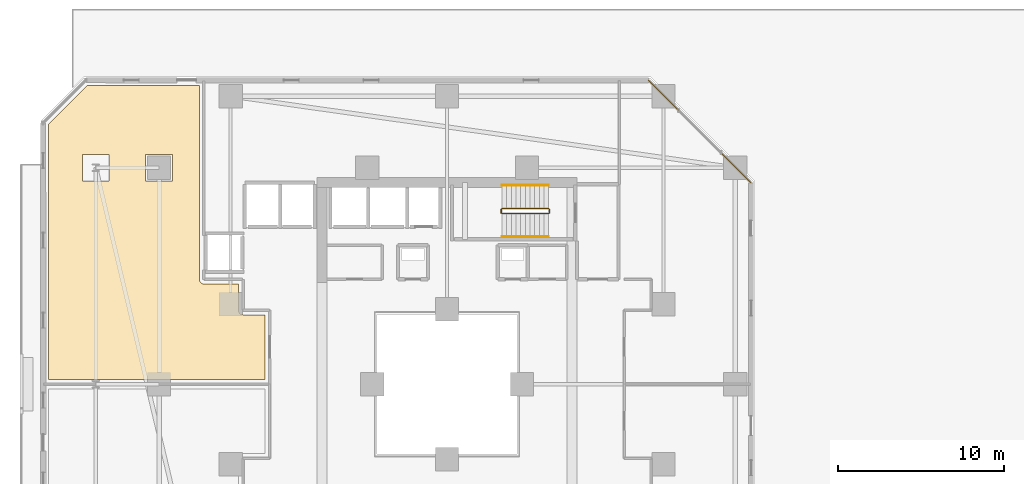
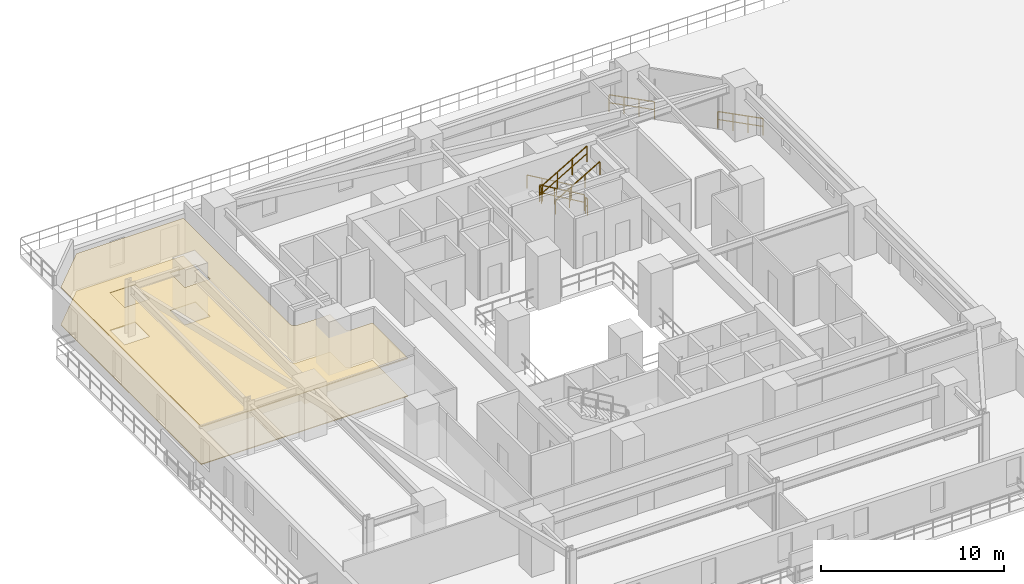
# One storey, part 31 of 34: 8 railings, 2 coverings.
"""IFC4 building model written with IfcOpenShell, lengths in metres."""

import ifcopenshell
import ifcopenshell.guid

model = None  # the IFC model being written
_history = None  # IfcOwnerHistory: only IFC2X3 demands one
_inside = {}  # id of a spatial element -> (the spatial element, [elements in it])
_under = {}  # id of a project, library or spatial element -> (it, [spatial elements below it])
_declared = {}  # id of a project -> (the project, [libraries it declares])
_typed = {}  # id of a type object -> (the type object, [elements of that type])
_made_of = {}  # id of a material, layer set ... -> (it, [elements and type objects made of it])


def new_model(schema):
    """Start an empty IFC model of exactly this schema.

    Asked for "IFC4X3", IfcOpenShell would pick the latest addendum, in which some entities
    have other attributes; the version numbers below select the first issue.
    IFC2X3 requires an IfcOwnerHistory on every rooted entity: one is made here for all.
    """
    global model, _history
    if schema == "IFC4X3":
        model = ifcopenshell.file(schema_version=(4, 3, 0, 0))
    else:
        model = ifcopenshell.file(schema=schema)
    _inside.clear()
    _under.clear()
    _declared.clear()
    _typed.clear()
    _made_of.clear()
    _history = None
    if model.schema == "IFC2X3":
        org = make("IfcOrganization", Name="unknown")
        user = make(
            "IfcPersonAndOrganization",
            ThePerson=make("IfcPerson", FamilyName="unknown"),
            TheOrganization=org,
        )
        app = make(
            "IfcApplication",
            ApplicationDeveloper=org,
            Version="unknown",
            ApplicationFullName="unknown",
            ApplicationIdentifier="unknown",
        )
        _history = make(
            "IfcOwnerHistory",
            OwningUser=user,
            OwningApplication=app,
            ChangeAction="ADDED",
            CreationDate=0,
        )
    return model


def make(cls, **values):
    """One entity of the class cls with the attributes given. An attribute that is None is left unset."""
    return model.create_entity(
        cls, **{name: value for name, value in values.items() if value is not None}
    )


def rooted(cls, **values):
    """An entity with a GlobalId (a new one), such as an element, a storey or a relation."""
    return make(cls, GlobalId=ifcopenshell.guid.new(), OwnerHistory=_history, **values)


def si_unit(unit_type, name, prefix=None):
    """IfcSIUnit, for example si_unit("LENGTHUNIT", "METRE", prefix="MILLI")."""
    return make("IfcSIUnit", UnitType=unit_type, Prefix=prefix, Name=name)


def assignment(units):
    """IfcUnitAssignment: the units of a project."""
    return None if units is None else make("IfcUnitAssignment", Units=units)


def point(xyz):
    """IfcCartesianPoint."""
    return None if xyz is None else make("IfcCartesianPoint", Coordinates=xyz)


def direction(xyz):
    """IfcDirection."""
    return None if xyz is None else make("IfcDirection", DirectionRatios=xyz)


def frame(location, z_axis=None, x_axis=None):
    """IfcAxis2Placement3D, a coordinate frame: its origin and axes. An axis left out is left unset."""
    return make(
        "IfcAxis2Placement3D",
        Location=point(location),
        Axis=direction(z_axis),
        RefDirection=direction(x_axis),
    )


def frame_2d(location, x_axis=None):
    """IfcAxis2Placement2D, a coordinate frame in the plane: its origin and x axis."""
    return make(
        "IfcAxis2Placement2D", Location=point(location), RefDirection=direction(x_axis)
    )


def origin():
    """The frame at (0, 0, 0) with its axes left unset."""
    return frame((0.0, 0.0, 0.0))


def origin_2d():
    """The frame at (0, 0) in the plane with its x axis left unset."""
    return frame_2d((0.0, 0.0))


def place(relative_to, where):
    """IfcLocalPlacement: puts the frame where relative to a parent placement (None: the world)."""
    return make(
        "IfcLocalPlacement", PlacementRelTo=relative_to, RelativePlacement=where
    )


def context(
    kind, dimensions, precision=None, world=None, true_north=None, identifier=None
):
    """IfcGeometricRepresentationContext, for example the 3D "Model" context."""
    return make(
        "IfcGeometricRepresentationContext",
        ContextIdentifier=identifier,
        ContextType=kind,
        CoordinateSpaceDimension=dimensions,
        Precision=precision,
        WorldCoordinateSystem=world,
        TrueNorth=true_north,
    )


def subcontext(parent, identifier, kind, view, scale=None):
    """IfcGeometricRepresentationSubContext, for example "Body" below "Model"."""
    return make(
        "IfcGeometricRepresentationSubContext",
        ContextIdentifier=identifier,
        ContextType=kind,
        ParentContext=parent,
        TargetScale=scale,
        TargetView=view,
    )


def project(units=None, contexts=None):
    """IfcProject with its units and contexts."""
    return rooted(
        "IfcProject",
        Name="project",
        RepresentationContexts=contexts,
        UnitsInContext=assignment(units),
    )


def spatial(cls, under=None, at=None, **own):
    """A site, building, storey or space (cls), placed at a placement, below another one or the project."""
    s = rooted(cls, ObjectPlacement=at, **own)
    if under is not None:
        _under.setdefault(under.id(), (under, []))[1].append(s)
    return s


def polyline(points):
    """IfcPolyline through the points."""
    return make("IfcPolyline", Points=[point(p) for p in points])


def profile(cls, at=None, kind="AREA", **sizes):
    """A parametric profile (cls). Its sizes go by their IFC names, for example OverallWidth=200.0."""
    return make(cls, ProfileType=kind, Position=at, **sizes)


def rectangle(**sizes):
    """IfcRectangleProfileDef."""
    return profile("IfcRectangleProfileDef", **sizes)


def outline(outer, holes=None, kind="AREA"):
    """IfcArbitraryClosedProfileDef: a profile drawn as a closed curve; with holes, ...WithVoids."""
    if holes is None:
        return make("IfcArbitraryClosedProfileDef", ProfileType=kind, OuterCurve=outer)
    return make(
        "IfcArbitraryProfileDefWithVoids",
        ProfileType=kind,
        OuterCurve=outer,
        InnerCurves=holes,
    )


def extrude(swept, where, along, depth):
    """IfcExtrudedAreaSolid: the profile swept, set in the frame where, extruded along a direction by depth."""
    return make(
        "IfcExtrudedAreaSolid",
        SweptArea=swept,
        Position=where,
        ExtrudedDirection=direction(along),
        Depth=depth,
    )


def shape(context_of_items, identifier, shape_type, items):
    """IfcShapeRepresentation: the items that make up one representation, for example the "Body"."""
    return make(
        "IfcShapeRepresentation",
        ContextOfItems=context_of_items,
        RepresentationIdentifier=identifier,
        RepresentationType=shape_type,
        Items=items,
    )


def material(Name=None, Category=None):
    """IfcMaterial."""
    return make("IfcMaterial", Name=Name, Category=Category)


def layer(
    of_material, thickness, ventilated=None, Name=None, Category=None, Priority=None
):
    """IfcMaterialLayer: one layer of a wall or slab, of a material (None: an air gap)."""
    return make(
        "IfcMaterialLayer",
        Material=of_material,
        LayerThickness=thickness,
        IsVentilated=ventilated,
        Name=Name,
        Category=Category,
        Priority=Priority,
    )


def layer_set(layers, Name=None):
    """IfcMaterialLayerSet."""
    return make("IfcMaterialLayerSet", MaterialLayers=layers, LayerSetName=Name)


def made_of(thing, what):
    """Note that an element or type object is made of a material, layer set ...; save() writes the relation."""
    if what is not None:
        _made_of.setdefault(what.id(), (what, []))[1].append(thing)
    return thing


def type_object(cls, material=None, **own):
    """A type object (cls), such as IfcWallType, which elements share."""
    return made_of(rooted(cls, **own), material)


def element(
    cls,
    number,
    at=None,
    inside=None,
    cuts=None,
    type_object=None,
    material=None,
    context=None,
    identifier="Body",
    shape_type=None,
    held_by="IfcProductDefinitionShape",
    body=None,
    shapes=None,
    **own,
):
    """One element of the class cls, such as IfcWall. Its Tag is "e" and its number.

    at: its placement. inside: the storey or other place that contains it. cuts: it is an
    opening in that element (IfcRelVoidsElement). A single representation is given by context,
    identifier, shape_type and body (its items); several are given by shapes. held_by: the class
    of the entity that holds the representations. save() writes the other relations.
    """
    e = rooted(cls, Tag="e%d" % number, ObjectPlacement=at, **own)
    if body is not None:
        shapes = [shape(context, identifier, shape_type, body)]
    if shapes is not None:
        e.Representation = make(held_by, Representations=shapes)
    if inside is not None:
        _inside.setdefault(inside.id(), (inside, []))[1].append(e)
    if cuts is not None:
        rooted(
            "IfcRelVoidsElement", RelatingBuildingElement=cuts, RelatedOpeningElement=e
        )
    if type_object is not None:
        _typed.setdefault(type_object.id(), (type_object, []))[1].append(e)
    return made_of(e, material)


def aggregate(whole, parts):
    """IfcRelAggregates: a whole, such as a stair, and the parts it consists of."""
    return rooted("IfcRelAggregates", RelatingObject=whole, RelatedObjects=parts)


def save(model, path):
    """Write the relations noted so far, then the file.

    IfcRelAggregates (storeys below a building ...), IfcRelContainedInSpatialStructure (elements
    in a storey), IfcRelDefinesByType, IfcRelAssociatesMaterial and IfcRelDeclares: one each for
    every whole, place, type object, material and project.
    """
    for whole, parts in _under.values():
        aggregate(whole, parts)
    for where, things in _inside.values():
        rooted(
            "IfcRelContainedInSpatialStructure",
            RelatedElements=things,
            RelatingStructure=where,
        )
    for kind, things in _typed.values():
        rooted("IfcRelDefinesByType", RelatedObjects=things, RelatingType=kind)
    for what, things in _made_of.values():
        rooted("IfcRelAssociatesMaterial", RelatedObjects=things, RelatingMaterial=what)
    for by, libraries in _declared.values():
        rooted("IfcRelDeclares", RelatingContext=by, RelatedDefinitions=libraries)
    model.write(path)


model = new_model("IFC4")

# Units and contexts
model_context = context("Model", 3, precision=1e-05, world=origin(), true_north=direction((0.0, 1.0)))
body_context = subcontext(model_context, "Body", "Model", "MODEL_VIEW")
ifc_project = project(units=[si_unit("LENGTHUNIT", "METRE"), si_unit("AREAUNIT", "SQUARE_METRE"), si_unit("VOLUMEUNIT", "CUBIC_METRE"), si_unit("PLANEANGLEUNIT", "RADIAN"), si_unit("MASSUNIT", "GRAM", prefix="KILO")], contexts=[model_context])

# Site, building, storey
site_placement = place(None, origin())
site = spatial("IfcSite", under=ifc_project, at=site_placement, CompositionType="ELEMENT")
building_placement = place(site_placement, origin())
building = spatial("IfcBuilding", under=site, at=building_placement, Name="Thornwick Lancets Civic Towers", CompositionType="ELEMENT")
storey_placement = place(building_placement, frame((0.0, 0.0, 27.89990234375)))
storey = spatial("IfcBuildingStorey", under=building, at=storey_placement, Name="L06", CompositionType="ELEMENT", Elevation=27.89990234375)

# Coverings
ifc_material_1 = material(Name="Perforated mineral acoustic ceiling tile")
ifc_layer_1 = layer(ifc_material_1, 0.0400390625, Name="Perforated mineral acoustic ceiling tile")
ifc_layer_set_1 = layer_set([ifc_layer_1], Name="Perforated mineral acoustic ceiling tile")
covering_type_1 = type_object("IfcCoveringType", Name="COV_CEIL_ACOUSTIC", PredefinedType="CEILING", material=ifc_layer_set_1)
covering_1_placement = place(storey_placement, frame((0.0, 0.0, 2.505126953125)))
element("IfcCovering", 1, at=covering_1_placement, inside=storey, type_object=covering_type_1, Name="L06 Tower A Policy Briefing Room W2 Ceiling", PredefinedType="CEILING", context=body_context, shape_type="SweptSolid", body=[
    extrude(outline(polyline([(12.969970703125, 33.02001953125), (12.969970703125, 31.449951171875), (12.97119140625, 31.422607421875), (12.975341796875, 31.3955078125), (12.982177734375, 31.36865234375), (12.9912109375, 31.3427734375), (13.003173828125, 31.318115234375), (13.01708984375, 31.29443359375), (13.03369140625, 31.2724609375), (13.052001953125, 31.251953125), (13.072509765625, 31.233642578125), (13.094482421875, 31.21728515625), (13.117919921875, 31.203125), (13.142822265625, 31.19140625), (13.168701171875, 31.18212890625), (13.1953125, 31.17529296875), (13.22265625, 31.17138671875), (13.25, 31.169921875), (14.570068359375, 31.169921875), (14.570068359375, 27.280029296875), (1.56005859375, 27.280029296875), (1.56005859375, 42.609375), (3.890625, 44.93994140625), (10.6201171875, 44.93994140625), (10.6201171875, 33.300048828125), (10.621337890625, 33.272705078125), (10.62548828125, 33.245361328125), (10.632080078125, 33.21875), (10.641357421875, 33.19287109375), (10.653076171875, 33.16796875), (10.667236328125, 33.144287109375), (10.68359375, 33.122314453125), (10.701904296875, 33.10205078125), (10.722412109375, 33.08349609375), (10.744384765625, 33.067138671875), (10.76806640625, 33.052978515625), (10.792724609375, 33.041259765625), (10.818603515625, 33.031982421875), (10.845458984375, 33.025390625), (10.87255859375, 33.021240234375), (10.89990234375, 33.02001953125), (12.969970703125, 33.02001953125)]), holes=[polyline([(7.39990234375, 39.199951171875), (9.0, 39.199951171875), (9.0, 40.800048828125), (7.39990234375, 40.800048828125), (7.39990234375, 39.199951171875)]), polyline([(3.60009765625, 39.199951171875), (5.199951171875, 39.199951171875), (5.199951171875, 40.800048828125), (3.60009765625, 40.800048828125), (3.60009765625, 39.199951171875)])]), origin(), (0.0, 0.0, 1.0), 0.0400390625),
])
ifc_material_2 = material(Name="Calcium-sulfate raised access floor panel")
ifc_layer_2 = layer(ifc_material_2, 0.050048828125, Name="Calcium-sulfate raised access floor panel")
ifc_layer_set_2 = layer_set([ifc_layer_2], Name="Calcium-sulfate raised access floor panel")
covering_type_2 = type_object("IfcCoveringType", Name="COV_FLOOR_RAISED", PredefinedType="FLOORING", material=ifc_layer_set_2)
covering_2_placement = place(storey_placement, origin())
element("IfcCovering", 2, at=covering_2_placement, inside=storey, type_object=covering_type_2, Name="L06 Tower A Policy Briefing Room W2 Raised Access Flooring", PredefinedType="FLOORING", context=body_context, shape_type="SweptSolid", body=[
    extrude(outline(polyline([(12.969970703125, 33.02001953125), (12.969970703125, 31.449951171875), (12.97119140625, 31.422607421875), (12.975341796875, 31.3955078125), (12.982177734375, 31.36865234375), (12.9912109375, 31.3427734375), (13.003173828125, 31.318115234375), (13.01708984375, 31.29443359375), (13.03369140625, 31.2724609375), (13.052001953125, 31.251953125), (13.072509765625, 31.233642578125), (13.094482421875, 31.21728515625), (13.117919921875, 31.203125), (13.142822265625, 31.19140625), (13.168701171875, 31.18212890625), (13.1953125, 31.17529296875), (13.22265625, 31.17138671875), (13.25, 31.169921875), (14.570068359375, 31.169921875), (14.570068359375, 27.280029296875), (1.56005859375, 27.280029296875), (1.56005859375, 42.609375), (3.890625, 44.93994140625), (10.6201171875, 44.93994140625), (10.6201171875, 33.300048828125), (10.621337890625, 33.272705078125), (10.62548828125, 33.245361328125), (10.632080078125, 33.21875), (10.641357421875, 33.19287109375), (10.653076171875, 33.16796875), (10.667236328125, 33.144287109375), (10.68359375, 33.122314453125), (10.701904296875, 33.10205078125), (10.722412109375, 33.08349609375), (10.744384765625, 33.067138671875), (10.76806640625, 33.052978515625), (10.792724609375, 33.041259765625), (10.818603515625, 33.031982421875), (10.845458984375, 33.025390625), (10.87255859375, 33.021240234375), (10.89990234375, 33.02001953125), (12.969970703125, 33.02001953125)]), holes=[polyline([(7.39990234375, 39.199951171875), (9.0, 39.199951171875), (9.0, 40.800048828125), (7.39990234375, 40.800048828125), (7.39990234375, 39.199951171875)]), polyline([(3.60009765625, 39.199951171875), (5.199951171875, 39.199951171875), (5.199951171875, 40.800048828125), (3.60009765625, 40.800048828125), (3.60009765625, 39.199951171875)])]), origin(), (0.0, 0.0, 1.0), 0.050048828125),
])

# Railings
ifc_material_3 = material(Name="Brushed stainless steel S355", Category="steel")
railing_type_1 = type_object("IfcRailingType", Name="RAIL_HANDRAIL", PredefinedType="HANDRAIL", material=ifc_material_3)
railing_1_placement = place(storey_placement, frame((31.60009765625, 38.949951171875, 0.163818359375)))
element("IfcRailing", 3, at=railing_1_placement, inside=storey, type_object=railing_type_1, Name="L06 ST-A2 stair handrail 1", PredefinedType="HANDRAIL", context=body_context, shape_type="SweptSolid", body=[
    extrude(rectangle(XDim=0.048095703125, YDim=0.048095703125, at=origin_2d()), frame((0.0, 0.0, 0.8857421875), z_axis=(-0.863393664356, 0.0, 0.504530851732), x_axis=(0.0, -1.0, 0.0)), (0.0, 0.0, 1.0), 3.2431640625),
    extrude(rectangle(XDim=0.0419921875, YDim=0.0419921875, at=origin_2d()), origin(), (0.0, 0.0, 1.0), 0.855712890625),
    extrude(rectangle(XDim=0.0419921875, YDim=0.0419921875, at=origin_2d()), frame((-0.933349609375, 0.0, 0.54541015625)), (0.0, 0.0, 1.0), 0.855712890625),
    extrude(rectangle(XDim=0.0419921875, YDim=0.0419921875, at=origin_2d()), frame((-1.86669921875, 0.0, 1.0908203125)), (0.0, 0.0, 1.0), 0.855712890625),
    extrude(rectangle(XDim=0.0419921875, YDim=0.0419921875, at=origin_2d()), frame((-2.800048828125, 0.0, 1.63623046875)), (0.0, 0.0, 1.0), 0.855712890625),
])
railing_2_placement = place(storey_placement, frame((28.800048828125, 35.85009765625, 1.963623046875)))
element("IfcRailing", 4, at=railing_2_placement, inside=storey, type_object=railing_type_1, Name="L06 ST-A2 stair handrail 2", PredefinedType="HANDRAIL", context=body_context, shape_type="SweptSolid", body=[
    extrude(rectangle(XDim=0.048095703125, YDim=0.048095703125, at=origin_2d()), frame((0.0, 0.0, 0.8857421875), z_axis=(0.863360870873, 0.0, 0.504586966384), x_axis=(0.0, 1.0, 0.0)), (0.0, 0.0, 1.0), 3.2431640625),
    extrude(rectangle(XDim=0.0419921875, YDim=0.0419921875, at=origin_2d()), origin(), (0.0, 0.0, 1.0), 0.855712890625),
    extrude(rectangle(XDim=0.0419921875, YDim=0.0419921875, at=origin_2d()), frame((0.933349609375, 0.0, 0.54541015625)), (0.0, 0.0, 1.0), 0.855712890625),
    extrude(rectangle(XDim=0.0419921875, YDim=0.0419921875, at=origin_2d()), frame((1.86669921875, 0.0, 1.091064453125)), (0.0, 0.0, 1.0), 0.855712890625),
    extrude(rectangle(XDim=0.0419921875, YDim=0.0419921875, at=origin_2d()), frame((2.800048828125, 0.0, 1.636474609375)), (0.0, 0.0, 1.0), 0.855712890625),
])
ifc_material_4 = material(Name="Steel S355JR", Category="steel")
railing_type_2 = type_object("IfcRailingType", Name="RAIL_STAIR_GUARD", PredefinedType="GUARDRAIL", material=ifc_material_4)
railing_3_placement = place(storey_placement, frame((31.60009765625, 37.550048828125, 0.163818359375)))
element("IfcRailing", 5, at=railing_3_placement, inside=storey, type_object=railing_type_2, Name="L06 ST-A2 stair guard 1", PredefinedType="GUARDRAIL", context=body_context, shape_type="SweptSolid", body=[
    extrude(rectangle(XDim=0.048095703125, YDim=0.048095703125, at=origin_2d()), frame((0.0, 0.0, 1.076171875), z_axis=(-0.863393664356, 0.0, 0.504530851732), x_axis=(0.0, -1.0, 0.0)), (0.0, 0.0, 1.0), 3.2431640625),
    extrude(rectangle(XDim=0.0419921875, YDim=0.0419921875, at=origin_2d()), frame((-0.032470703125, 0.0, 0.591064453125), z_axis=(-0.863393664356, 0.0, 0.504530851732), x_axis=(0.0, -1.0, 0.0)), (0.0, 0.0, 1.0), 1.006103515625),
    extrude(rectangle(XDim=0.0419921875, YDim=0.0419921875, at=origin_2d()), frame((-0.9658203125, 0.0, 1.136474609375), z_axis=(-0.863393664356, 0.0, 0.504530851732), x_axis=(0.0, -1.0, 0.0)), (0.0, 0.0, 1.0), 1.006103515625),
    extrude(rectangle(XDim=0.0419921875, YDim=0.0419921875, at=origin_2d()), frame((-1.899169921875, 0.0, 1.681884765625), z_axis=(-0.863393664356, 0.0, 0.504530851732), x_axis=(0.0, -1.0, 0.0)), (0.0, 0.0, 1.0), 1.006103515625),
    extrude(rectangle(XDim=0.0419921875, YDim=0.0419921875, at=origin_2d()), origin(), (0.0, 0.0, 1.0), 1.0458984375),
    extrude(rectangle(XDim=0.0419921875, YDim=0.0419921875, at=origin_2d()), frame((-0.933349609375, 0.0, 0.54541015625)), (0.0, 0.0, 1.0), 1.0458984375),
    extrude(rectangle(XDim=0.0419921875, YDim=0.0419921875, at=origin_2d()), frame((-1.86669921875, 0.0, 1.0908203125)), (0.0, 0.0, 1.0), 1.0458984375),
    extrude(rectangle(XDim=0.0419921875, YDim=0.0419921875, at=origin_2d()), frame((-2.800048828125, 0.0, 1.63623046875)), (0.0, 0.0, 1.0), 1.0458984375),
])
railing_4_placement = place(storey_placement, frame((28.75, 37.5, 1.800048828125)))
element("IfcRailing", 6, at=railing_4_placement, inside=storey, type_object=railing_type_2, Name="L06 ST-A2 stair guard 2", PredefinedType="GUARDRAIL", context=body_context, shape_type="SweptSolid", body=[
    extrude(rectangle(XDim=0.048095703125, YDim=0.048095703125, at=origin_2d()), frame((0.0, 0.0, 1.076171875), z_axis=(0.0, -1.0, 0.0), x_axis=(1.0, 0.0, 0.0)), (0.0, 0.0, 1.0), 0.199951171875),
    extrude(rectangle(XDim=0.0419921875, YDim=0.0419921875, at=origin_2d()), frame((0.0, -0.03759765625, 0.572021484375), z_axis=(0.0, -1.0, 0.0), x_axis=(1.0, 0.0, 0.0)), (0.0, 0.0, 1.0), 0.125),
    extrude(rectangle(XDim=0.0419921875, YDim=0.0419921875, at=origin_2d()), origin(), (0.0, 0.0, 1.0), 1.0458984375),
    extrude(rectangle(XDim=0.0419921875, YDim=0.0419921875, at=origin_2d()), frame((0.0, -0.199951171875, 0.0)), (0.0, 0.0, 1.0), 1.0458984375),
])
railing_5_placement = place(storey_placement, frame((28.800048828125, 37.25, 1.963623046875)))
element("IfcRailing", 7, at=railing_5_placement, inside=storey, type_object=railing_type_2, Name="L06 ST-A2 stair guard 3", PredefinedType="GUARDRAIL", context=body_context, shape_type="SweptSolid", body=[
    extrude(rectangle(XDim=0.048095703125, YDim=0.048095703125, at=origin_2d()), frame((0.0, 0.0, 1.076171875), z_axis=(0.863360870873, 0.0, 0.504586966384), x_axis=(0.0, 1.0, 0.0)), (0.0, 0.0, 1.0), 3.2431640625),
    extrude(rectangle(XDim=0.0419921875, YDim=0.0419921875, at=origin_2d()), frame((0.032470703125, 0.0, 0.591064453125), z_axis=(0.863360870873, 0.0, 0.504586966384), x_axis=(0.0, 1.0, 0.0)), (0.0, 0.0, 1.0), 1.006103515625),
    extrude(rectangle(XDim=0.0419921875, YDim=0.0419921875, at=origin_2d()), frame((0.9658203125, 0.0, 1.136474609375), z_axis=(0.863360870873, 0.0, 0.504586966384), x_axis=(0.0, 1.0, 0.0)), (0.0, 0.0, 1.0), 1.006103515625),
    extrude(rectangle(XDim=0.0419921875, YDim=0.0419921875, at=origin_2d()), frame((1.899169921875, 0.0, 1.681884765625), z_axis=(0.863360870873, 0.0, 0.504586966384), x_axis=(0.0, 1.0, 0.0)), (0.0, 0.0, 1.0), 1.006103515625),
    extrude(rectangle(XDim=0.0419921875, YDim=0.0419921875, at=origin_2d()), origin(), (0.0, 0.0, 1.0), 1.0458984375),
    extrude(rectangle(XDim=0.0419921875, YDim=0.0419921875, at=origin_2d()), frame((0.933349609375, 0.0, 0.54541015625)), (0.0, 0.0, 1.0), 1.0458984375),
    extrude(rectangle(XDim=0.0419921875, YDim=0.0419921875, at=origin_2d()), frame((1.86669921875, 0.0, 1.091064453125)), (0.0, 0.0, 1.0), 1.0458984375),
    extrude(rectangle(XDim=0.0419921875, YDim=0.0419921875, at=origin_2d()), frame((2.800048828125, 0.0, 1.636474609375)), (0.0, 0.0, 1.0), 1.0458984375),
])
railing_6_placement = place(storey_placement, frame((31.64990234375, 37.5, 0.0)))
element("IfcRailing", 8, at=railing_6_placement, inside=storey, type_object=railing_type_2, Name="L06 ST-A2 stair guard 4", PredefinedType="GUARDRAIL", context=body_context, shape_type="SweptSolid", body=[
    extrude(rectangle(XDim=0.048095703125, YDim=0.048095703125, at=origin_2d()), frame((0.0, 0.0, 1.076171875), z_axis=(0.0, -1.0, 0.0), x_axis=(1.0, 0.0, 0.0)), (0.0, 0.0, 1.0), 0.199951171875),
    extrude(rectangle(XDim=0.0419921875, YDim=0.0419921875, at=origin_2d()), frame((0.0, -0.03759765625, 0.572021484375), z_axis=(0.0, -1.0, 0.0), x_axis=(1.0, 0.0, 0.0)), (0.0, 0.0, 1.0), 0.125),
    extrude(rectangle(XDim=0.0419921875, YDim=0.0419921875, at=origin_2d()), origin(), (0.0, 0.0, 1.0), 1.0458984375),
    extrude(rectangle(XDim=0.0419921875, YDim=0.0419921875, at=origin_2d()), frame((0.0, -0.199951171875, 0.0)), (0.0, 0.0, 1.0), 1.0458984375),
])
ifc_material_5 = material(Name="Terracotta-capped laminated glass balustrade S355", Category="masonry")
railing_type_3 = type_object("IfcRailingType", Name="RAIL_TERR_GUARD", PredefinedType="GUARDRAIL", material=ifc_material_5)
for number, where, name in (
    (9, (43.75341796875, 39.095703125, 0.0), "L06 Tower A Chamfer Spandrel Guard E3-1"),
    (10, (39.408447265625, 43.440673828125, 0.0), "L06 Tower A Chamfer Spandrel Guard E3-2"),
):
    element("IfcRailing", number, at=place(storey_placement, frame(where)), inside=storey, type_object=railing_type_3, Name=name, PredefinedType="GUARDRAIL", context=body_context, shape_type="SweptSolid", body=[
        extrude(rectangle(XDim=0.048095703125, YDim=0.048095703125, at=origin_2d()), frame((0.0, 0.0, 1.1259765625), z_axis=(-0.707106781187, 0.707106781187, 0.0), x_axis=(-0.707106781187, -0.707106781187, 0.0)), (0.0, 0.0, 1.0), 2.563720703125),
        extrude(rectangle(XDim=0.0419921875, YDim=0.0419921875, at=origin_2d()), frame((-0.026611328125, 0.026611328125, 0.597900390625), z_axis=(-0.707106781187, 0.707106781187, 0.0), x_axis=(-0.707106781187, -0.707106781187, 0.0)), (0.0, 0.0, 1.0), 0.779541015625),
        extrude(rectangle(XDim=0.0419921875, YDim=0.0419921875, at=origin_2d()), frame((-0.630859375, 0.630859375, 0.597900390625), z_axis=(-0.707106781187, 0.707106781187, 0.0), x_axis=(-0.707106781187, -0.707106781187, 0.0)), (0.0, 0.0, 1.0), 0.779541015625),
        extrude(rectangle(XDim=0.0419921875, YDim=0.0419921875, at=origin_2d()), frame((-1.235107421875, 1.235107421875, 0.597900390625), z_axis=(-0.707106781187, 0.707106781187, 0.0), x_axis=(-0.707106781187, -0.707106781187, 0.0)), (0.0, 0.0, 1.0), 0.779541015625),
        extrude(rectangle(XDim=0.0419921875, YDim=0.0419921875, at=origin_2d()), origin(), (0.0, 0.0, 1.0), 1.095703125),
        extrude(rectangle(XDim=0.0419921875, YDim=0.0419921875, at=origin_2d()), frame((-0.604248046875, 0.604248046875, 0.0)), (0.0, 0.0, 1.0), 1.095703125),
        extrude(rectangle(XDim=0.0419921875, YDim=0.0419921875, at=origin_2d()), frame((-1.20849609375, 1.20849609375, 0.0)), (0.0, 0.0, 1.0), 1.095703125),
        extrude(rectangle(XDim=0.0419921875, YDim=0.0419921875, at=origin_2d()), frame((-1.812744140625, 1.812744140625, 0.0)), (0.0, 0.0, 1.0), 1.095703125),
    ])

save(model, "model.ifc")
